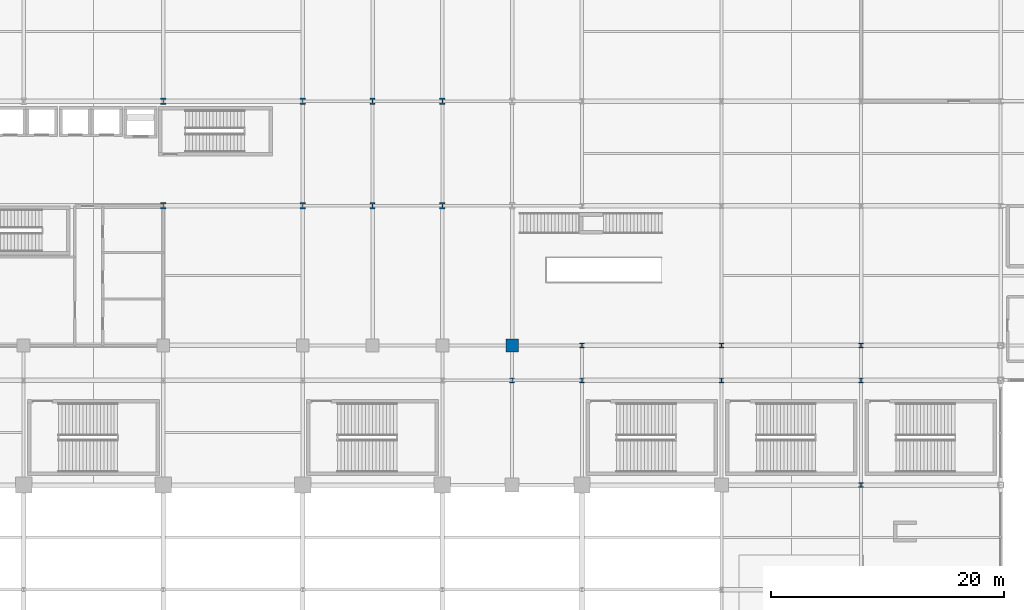
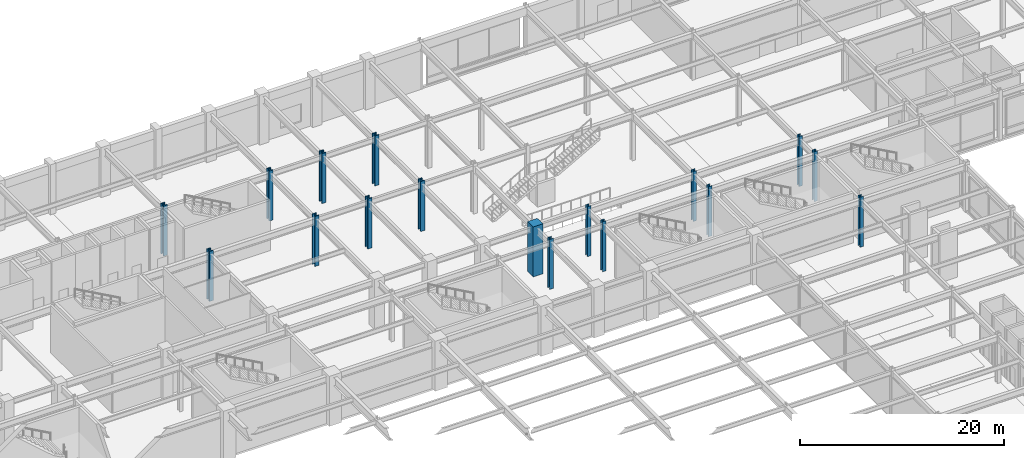
# One storey, part 9 of 105: 17 columns.
"""IFC4 building model written with IfcOpenShell, lengths in metres."""

from ifc_helpers import new_model, si_unit, direction, frame, origin, origin_2d, place, context, subcontext, project, spatial, rectangle, i_section, extrude, material, material_profile, profile_set, type_object, element, save


model = new_model("IFC4")

# Units and contexts
model_context = context("Model", 3, precision=1e-05, world=origin(), true_north=direction((0.0, 1.0)))
body_context = subcontext(model_context, "Body", "Model", "MODEL_VIEW")
ifc_project = project(units=[si_unit("LENGTHUNIT", "METRE"), si_unit("AREAUNIT", "SQUARE_METRE"), si_unit("VOLUMEUNIT", "CUBIC_METRE"), si_unit("PLANEANGLEUNIT", "RADIAN"), si_unit("MASSUNIT", "GRAM", prefix="KILO")], contexts=[model_context])

# Site, building, storey
site_placement = place(None, origin())
site = spatial("IfcSite", under=ifc_project, at=site_placement, CompositionType="ELEMENT")
building_placement = place(site_placement, origin())
building = spatial("IfcBuilding", under=site, at=building_placement, Name="Kaldorvane Square Convention Centre", CompositionType="ELEMENT")
storey_placement = place(building_placement, frame((0.0, 0.0, 6.0)))
storey = spatial("IfcBuildingStorey", under=building, at=storey_placement, Name="L01", CompositionType="ELEMENT", Elevation=6.0)

# Columns
ifc_material_1 = material(Name="Concrete f'c = 55 MPa (Normalweight)", Category="concrete")
ifc_material_profile_1 = material_profile(ifc_material_1, rectangle(XDim=1.100006103515625, YDim=1.100006103515625, at=origin_2d()), Name="RC1100X1100")
ifc_profile_set_1 = profile_set([ifc_material_profile_1], Name="Concrete f'c = 55 MPa (Normalweight)")
column_type_1 = type_object("IfcColumnType", Name="COL-RC-1100", PredefinedType="COLUMN", material=ifc_profile_set_1)
column_placement = place(storey_placement, frame((96.0, 84.0, 0.0), z_axis=(0.0, 0.0, 1.0), x_axis=(1.0, 0.0, 0.0)))
element("IfcColumn", 1, at=column_placement, inside=storey, type_object=column_type_1, Name="Column CC-01 (L01)", PredefinedType="COLUMN", context=body_context, shape_type="SweptSolid", body=[
    extrude(rectangle(XDim=1.100006103515625, YDim=1.100006103515625, at=origin_2d()), origin(), (0.0, 0.0, 1.0), 6.0),
])
ifc_material_2 = material(Name="Steel ASTM A992 Gr. 50", Category="steel")
ifc_material_profile_2 = material_profile(ifc_material_2, i_section(OverallWidth=0.40130615234375, OverallDepth=0.3993072509765625, WebThickness=0.02490234375, FlangeThickness=0.0395965576171875, FilletRadius=0.0305023193359375, at=origin_2d()), Name="W14X211")
ifc_profile_set_2 = profile_set([ifc_material_profile_2], Name="Steel ASTM A992 Gr. 50")
column_type_2 = type_object("IfcColumnType", Name="COL-STL-211", PredefinedType="COLUMN", material=ifc_profile_set_2)
for number, where, z_axis, x_axis, name in (
    (2, (96.0, 81.0, 0.0), (0.0, 0.0, 1.0), (1.0, 0.0, 0.0), "Column SC-08 (L01)"),
    (3, (102.0, 81.0, 0.0), (0.0, 0.0, 1.0), (1.0, 0.0, 0.0), "Column SC-08 (L01)"),
    (4, (102.0, 84.0, 0.0), (0.0, 0.0, 1.0), (1.0, 0.0, 0.0), "Column SC-08 (L01)"),
    (5, (114.0, 81.0, 0.0), (0.0, 0.0, 1.0), (1.0, 0.0, 0.0), "Column SC-08 (L01)"),
    (6, (114.0, 84.0, 0.0), (0.0, 0.0, 1.0), (1.0, 0.0, 0.0), "Column SC-08 (L01)"),
    (7, (126.0, 72.0, 0.0), (0.0, 0.0, 1.0), (1.0, 0.0, 0.0), "Column SC-08 (L01)"),
    (8, (126.0, 81.0, 0.0), (0.0, 0.0, 1.0), (1.0, 0.0, 0.0), "Column SC-08 (L01)"),
    (9, (126.0, 84.0, 0.0), (0.0, 0.0, 1.0), (1.0, 0.0, 0.0), "Column SC-08 (L01)"),
):
    element("IfcColumn", number, at=place(storey_placement, frame(where, z_axis=z_axis, x_axis=x_axis)), inside=storey, type_object=column_type_2, Name=name, PredefinedType="COLUMN", context=body_context, shape_type="SweptSolid", body=[
        extrude(i_section(OverallWidth=0.40130615234375, OverallDepth=0.3993072509765625, WebThickness=0.02490234375, FlangeThickness=0.0395965576171875, FilletRadius=0.0305023193359375, at=origin_2d()), origin(), (0.0, 0.0, 1.0), 6.0),
    ])
ifc_material_profile_3 = material_profile(ifc_material_2, i_section(OverallWidth=0.45440673828125, OverallDepth=0.569000244140625, WebThickness=0.0780029296875, FlangeThickness=0.12469482421875, FilletRadius=0.0305023193359375, at=origin_2d()), Name="W14X730")
ifc_profile_set_3 = profile_set([ifc_material_profile_3], Name="Steel ASTM A992 Gr. 50")
column_type_3 = type_object("IfcColumnType", Name="COL-STL-730", PredefinedType="COLUMN", material=ifc_profile_set_3)
for number, where, z_axis, x_axis, name in (
    (10, (66.0, 96.0, 0.0), (0.0, 0.0, 1.0), (1.0, 0.0, 0.0), "Column SC-01 (L01)"),
    (11, (66.0, 105.0, 0.0), (0.0, 0.0, 1.0), (1.0, 0.0, 0.0), "Column SC-01 (L01)"),
    (12, (78.0, 96.0, 0.0), (0.0, 0.0, 1.0), (1.0, 0.0, 0.0), "Column SC-01 (L01)"),
    (13, (78.0, 105.0, 0.0), (0.0, 0.0, 1.0), (1.0, 0.0, 0.0), "Column SC-01 (L01)"),
    (14, (84.0, 96.0, 0.0), (0.0, 0.0, 1.0), (1.0, 0.0, 0.0), "Column SC-01 (L01)"),
    (15, (84.0, 105.0, 0.0), (0.0, 0.0, 1.0), (1.0, 0.0, 0.0), "Column SC-01 (L01)"),
    (16, (90.0, 96.0, 0.0), (0.0, 0.0, 1.0), (1.0, 0.0, 0.0), "Column SC-01 (L01)"),
    (17, (90.0, 105.0, 0.0), (0.0, 0.0, 1.0), (1.0, 0.0, 0.0), "Column SC-01 (L01)"),
):
    element("IfcColumn", number, at=place(storey_placement, frame(where, z_axis=z_axis, x_axis=x_axis)), inside=storey, type_object=column_type_3, Name=name, PredefinedType="COLUMN", context=body_context, shape_type="SweptSolid", body=[
        extrude(i_section(OverallWidth=0.45440673828125, OverallDepth=0.569000244140625, WebThickness=0.0780029296875, FlangeThickness=0.12469482421875, FilletRadius=0.0305023193359375, at=origin_2d()), origin(), (0.0, 0.0, 1.0), 6.0),
    ])

save(model, "model.ifc")
